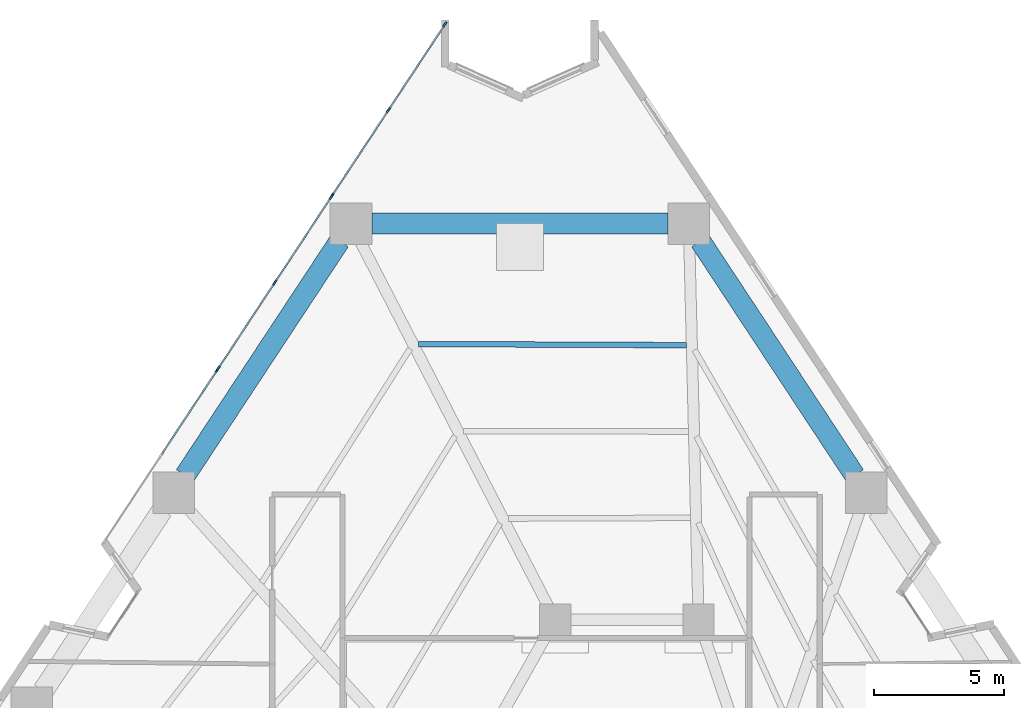
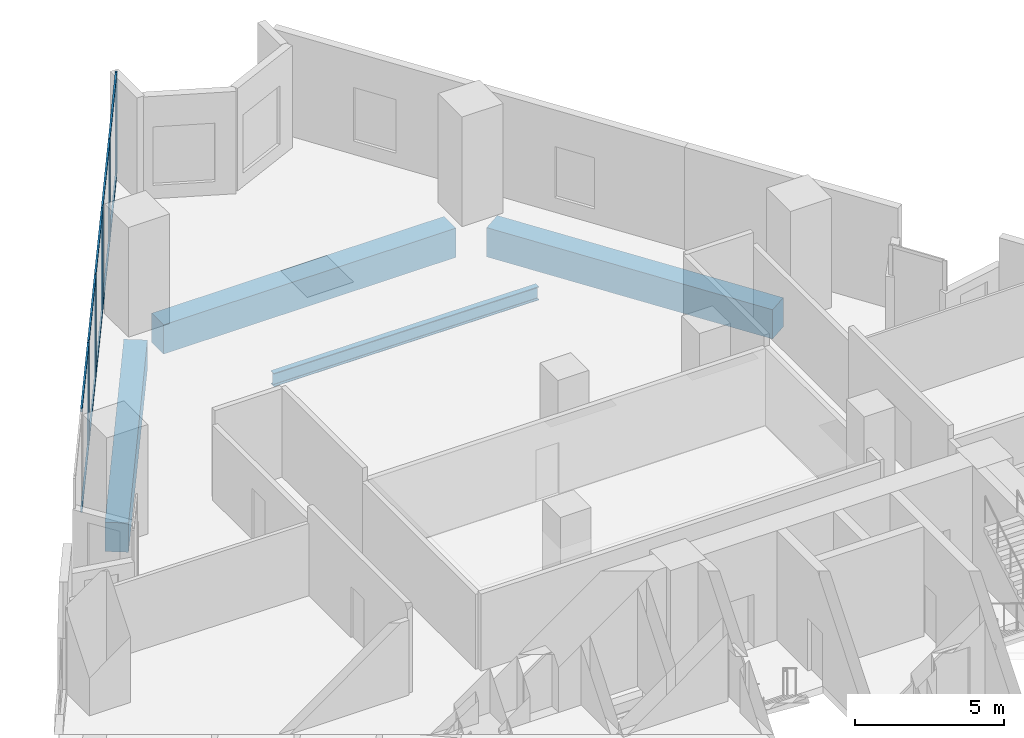
# One storey, part 5 of 12: 17 members, 4 beams, 3 elements without a shape of their own.
"""IFC4 building model written with IfcOpenShell, lengths in metres."""

from ifc_helpers import new_model, si_unit, direction, frame, origin, origin_2d, place, context, subcontext, project, spatial, rectangle, i_section, extrude, material, layer, layer_set, material_profile, profile_set, type_object, element, aggregate, save


model = new_model("IFC4")

# Units and contexts
model_context = context("Model", 3, precision=1e-05, world=origin(), true_north=direction((0.0, 1.0)))
body_context = subcontext(model_context, "Body", "Model", "MODEL_VIEW")
ifc_project = project(units=[si_unit("LENGTHUNIT", "METRE"), si_unit("AREAUNIT", "SQUARE_METRE"), si_unit("VOLUMEUNIT", "CUBIC_METRE"), si_unit("PLANEANGLEUNIT", "RADIAN"), si_unit("MASSUNIT", "GRAM", prefix="KILO")], contexts=[model_context])

# Site, building, storey
site_placement = place(None, origin())
site = spatial("IfcSite", under=ifc_project, at=site_placement, CompositionType="ELEMENT")
building_placement = place(site_placement, origin())
building = spatial("IfcBuilding", under=site, at=building_placement, Name="Almagre Mirador Tower", CompositionType="ELEMENT")
storey_placement = place(building_placement, frame((0.0, 0.0, 12.89990234375)))
storey = spatial("IfcBuildingStorey", under=building, at=storey_placement, Name="L02", CompositionType="ELEMENT", Elevation=12.89990234375)

# Beams
ifc_material_1 = material(Name="Steel ASTM A992 Grade 50", Category="steel")
ifc_material_profile_1 = material_profile(ifc_material_1, i_section(OverallWidth=0.214111328125, OverallDepth=0.549072265625, WebThickness=0.0146484375, FlangeThickness=0.023681640625, FilletRadius=0.01806640625, at=origin_2d()), Name="W21X93")
ifc_profile_set_1 = profile_set([ifc_material_profile_1], Name="Steel ASTM A992 Grade 50")
beam_type_1 = type_object("IfcBeamType", Name="BM-JST-W21X93", PredefinedType="JOIST", material=ifc_profile_set_1)
beam_1_placement = place(storey_placement, frame((42.380126953125, 36.728271484375, -0.574462890625), z_axis=(-0.99999104287, 0.004232514698, 0.0), x_axis=(-0.004232514698, -0.99999104287, 0.0)))
element("IfcBeam", 1, at=beam_1_placement, inside=storey, type_object=beam_type_1, Name="L02 secondary floor joist PC08-PC09.1", PredefinedType="JOIST", context=body_context, shape_type="SweptSolid", body=[
    extrude(i_section(OverallWidth=0.214111328125, OverallDepth=0.549072265625, WebThickness=0.0146484375, FlangeThickness=0.023681640625, FilletRadius=0.01806640625, at=origin_2d()), origin(), (0.0, 0.0, 1.0), 10.267333984375),
])
ifc_material_2 = material(Name="Precast concrete C50/60", Category="concrete")
ifc_material_profile_2 = material_profile(ifc_material_2, rectangle(XDim=0.800048828125, YDim=1.199951171875, at=origin_2d()), Name="RC800X1200")
ifc_profile_set_2 = profile_set([ifc_material_profile_2], Name="Precast concrete C50/60")
beam_type_2 = type_object("IfcBeamType", Name="BM-SPN-RC800X1200", PredefinedType="SPANDREL", material=ifc_profile_set_2)
beam_2_placement = place(storey_placement, frame((48.837890625, 31.736083984375, -0.89990234375), z_axis=(-0.550214843465, 0.835023129039, 0.0), x_axis=(-0.835023129039, -0.550214843465, 0.0)))
element("IfcBeam", 2, at=beam_2_placement, inside=storey, type_object=beam_type_2, Name="L02 perimeter spandrel beam PC07-PC08", PredefinedType="SPANDREL", context=body_context, shape_type="SweptSolid", body=[
    extrude(rectangle(XDim=0.800048828125, YDim=1.199951171875, at=origin_2d()), origin(), (0.0, 0.0, 1.0), 10.7587890625),
])
beam_3_placement = place(storey_placement, frame((41.677978515625, 41.387939453125, -0.89990234375), z_axis=(-1.0, 0.0, 0.0), x_axis=(0.0, -1.0, 0.0)))
element("IfcBeam", 3, at=beam_3_placement, inside=storey, type_object=beam_type_2, Name="L02 perimeter spandrel beam PC08-PC09", PredefinedType="SPANDREL", context=body_context, shape_type="SweptSolid", body=[
    extrude(rectangle(XDim=0.800048828125, YDim=1.199951171875, at=origin_2d()), origin(), (0.0, 0.0, 1.0), 11.35595703125),
])
beam_4_placement = place(storey_placement, frame((29.081787109375, 40.719970703125, -0.89990234375), z_axis=(-0.550214843465, -0.835023129039, 0.0), x_axis=(0.835023129039, -0.550214843465, 0.0)))
element("IfcBeam", 4, at=beam_4_placement, inside=storey, type_object=beam_type_2, Name="L02 perimeter spandrel beam PC09-PC10", PredefinedType="SPANDREL", context=body_context, shape_type="SweptSolid", body=[
    extrude(rectangle(XDim=0.800048828125, YDim=1.199951171875, at=origin_2d()), origin(), (0.0, 0.0, 1.0), 10.7587890625),
])

# Curtain wall, member
ifc_material_3 = material(Name="Black anodized aluminium", Category="aluminium")
ifc_layer = layer(ifc_material_3, 0.219970703125)
ifc_layer_set = layer_set([ifc_layer], Name="Black anodized aluminium")
curtain_wall_type = type_object("IfcCurtainWallType", Name="CW-POD-SYS", PredefinedType="NOTDEFINED", material=ifc_layer_set)
curtain_wall_1_placement = place(storey_placement, origin())
curtain_wall_1 = element("IfcCurtainWall", 5, at=curtain_wall_1_placement, inside=storey, type_object=curtain_wall_type, Name="L02 curtain wall run 02", PredefinedType="NOTDEFINED")
ifc_material_4 = material(Name="Black anodized aluminium", Category="aluminium")
ifc_material_profile_3 = material_profile(ifc_material_4, rectangle(XDim=0.070068359375, YDim=0.2099609375, at=origin_2d()), Name="CWM70X210")
ifc_profile_set_3 = profile_set([ifc_material_profile_3], Name="Black anodized aluminium")
member_type_1 = type_object("IfcMemberType", Name="MBR-CWM70X210", PredefinedType="MULLION", material=ifc_profile_set_3)
member_1_placement = place(storey_placement, frame((24.390380859375, 35.781494140625, 0.0), z_axis=(0.0, 0.0, 1.0), x_axis=(-0.835011518101, 0.550232464181, 0.0)))
member_1 = element("IfcMember", 6, at=member_1_placement, type_object=member_type_1, Name="CW-1 mullion 3", PredefinedType="MULLION", context=body_context, shape_type="SweptSolid", body=[
    extrude(rectangle(XDim=0.070068359375, YDim=0.2099609375, at=origin_2d()), origin(), (0.0, 0.0, 1.0), 4.2001953125),
])

# Curtain wall, members
curtain_wall_2_placement = place(storey_placement, origin())
curtain_wall_2 = element("IfcCurtainWall", 7, at=curtain_wall_2_placement, inside=storey, type_object=curtain_wall_type, Name="L02 curtain wall run 03", PredefinedType="NOTDEFINED")
member_2_placement = place(storey_placement, frame((24.428955078125, 35.83984375, 0.0), z_axis=(0.0, 0.0, 1.0), x_axis=(-0.835013493489, 0.550229466396, 0.0)))
member_2 = element("IfcMember", 8, at=member_2_placement, type_object=member_type_1, Name="CW-1 mullion 1", PredefinedType="MULLION", context=body_context, shape_type="SweptSolid", body=[
    extrude(rectangle(XDim=0.070068359375, YDim=0.2099609375, at=origin_2d()), origin(), (0.0, 0.0, 1.0), 4.2001953125),
])
member_3_placement = place(storey_placement, frame((26.592041015625, 39.12255859375, 0.0), z_axis=(0.0, 0.0, 1.0), x_axis=(-0.835013493489, 0.550229466396, 0.0)))
member_3 = element("IfcMember", 9, at=member_3_placement, type_object=member_type_1, Name="CW-1 mullion 2", PredefinedType="MULLION", context=body_context, shape_type="SweptSolid", body=[
    extrude(rectangle(XDim=0.070068359375, YDim=0.2099609375, at=origin_2d()), origin(), (0.0, 0.0, 1.0), 4.2001953125),
])
member_4_placement = place(storey_placement, frame((28.755126953125, 42.405029296875, 0.0), z_axis=(0.0, 0.0, 1.0), x_axis=(-0.835013493489, 0.550229466396, 0.0)))
member_4 = element("IfcMember", 10, at=member_4_placement, type_object=member_type_1, Name="CW-1 mullion 3", PredefinedType="MULLION", context=body_context, shape_type="SweptSolid", body=[
    extrude(rectangle(XDim=0.070068359375, YDim=0.2099609375, at=origin_2d()), origin(), (0.0, 0.0, 1.0), 4.2001953125),
])

curtain_wall_3_placement = place(storey_placement, origin())
curtain_wall_3 = element("IfcCurtainWall", 11, at=curtain_wall_3_placement, inside=storey, type_object=curtain_wall_type, Name="L02 curtain wall run 04", PredefinedType="NOTDEFINED")
member_5_placement = place(storey_placement, frame((28.79345703125, 42.463623046875, 0.0), z_axis=(0.0, 0.0, 1.0), x_axis=(-0.835011518101, 0.550232464181, 0.0)))
member_5 = element("IfcMember", 12, at=member_5_placement, type_object=member_type_1, Name="CW-1 mullion 1", PredefinedType="MULLION", context=body_context, shape_type="SweptSolid", body=[
    extrude(rectangle(XDim=0.070068359375, YDim=0.2099609375, at=origin_2d()), origin(), (0.0, 0.0, 1.0), 4.2001953125),
])
member_6_placement = place(storey_placement, frame((30.95654296875, 45.74609375, 0.0), z_axis=(0.0, 0.0, 1.0), x_axis=(-0.835011518101, 0.550232464181, 0.0)))
member_6 = element("IfcMember", 13, at=member_6_placement, type_object=member_type_1, Name="CW-1 mullion 2", PredefinedType="MULLION", context=body_context, shape_type="SweptSolid", body=[
    extrude(rectangle(XDim=0.070068359375, YDim=0.2099609375, at=origin_2d()), origin(), (0.0, 0.0, 1.0), 4.2001953125),
])
member_7_placement = place(storey_placement, frame((33.11962890625, 49.02880859375, 0.0), z_axis=(0.0, 0.0, 1.0), x_axis=(-0.835011518101, 0.550232464181, 0.0)))
member_7 = element("IfcMember", 14, at=member_7_placement, type_object=member_type_1, Name="CW-1 mullion 3", PredefinedType="MULLION", context=body_context, shape_type="SweptSolid", body=[
    extrude(rectangle(XDim=0.070068359375, YDim=0.2099609375, at=origin_2d()), origin(), (0.0, 0.0, 1.0), 4.2001953125),
])

# Member
ifc_material_5 = material(Name="Black anodized aluminium", Category="aluminium")
ifc_material_profile_4 = material_profile(ifc_material_5, rectangle(XDim=0.06494140625, YDim=0.14990234375, at=origin_2d()), Name="CWT65X150")
ifc_profile_set_4 = profile_set([ifc_material_profile_4], Name="Black anodized aluminium")
member_type_2 = type_object("IfcMemberType", Name="MBR-CWT65X150", PredefinedType="USERDEFINED", material=ifc_profile_set_4)
member_8_placement = place(storey_placement, frame((22.24658203125, 32.528076171875, 0.03271484375), z_axis=(0.550227200685, 0.835014986468, 0.0), x_axis=(-0.835014986468, 0.550227200685, 0.0)))
member_8 = element("IfcMember", 15, at=member_8_placement, type_object=member_type_2, Name="CW-1 transom 2.1", ObjectType="TRANSOM", PredefinedType="USERDEFINED", context=body_context, shape_type="SweptSolid", body=[
    extrude(rectangle(XDim=0.06494140625, YDim=0.14990234375, at=origin_2d()), origin(), (0.0, 0.0, 1.0), 3.861083984375),
])

member_9_placement = place(storey_placement, frame((22.24658203125, 32.528076171875, 4.16748046875), z_axis=(0.550227200685, 0.835014986468, 0.0), x_axis=(-0.835014986468, 0.550227200685, 0.0)))
member_9 = element("IfcMember", 16, at=member_9_placement, type_object=member_type_2, Name="CW-1 transom 2.2", ObjectType="TRANSOM", PredefinedType="USERDEFINED", context=body_context, shape_type="SweptSolid", body=[
    extrude(rectangle(XDim=0.06494140625, YDim=0.14990234375, at=origin_2d()), origin(), (0.0, 0.0, 1.0), 3.861083984375),
])

aggregate(curtain_wall_1, [member_1, member_8, member_9])

member_10_placement = place(storey_placement, frame((24.4482421875, 35.869140625, 0.03271484375), z_axis=(0.550227200685, 0.835014986468, 0.0), x_axis=(-0.835014986468, 0.550227200685, 0.0)))
member_10 = element("IfcMember", 17, at=member_10_placement, type_object=member_type_2, Name="CW-1 transom 1.1", ObjectType="TRANSOM", PredefinedType="USERDEFINED", context=body_context, shape_type="SweptSolid", body=[
    extrude(rectangle(XDim=0.06494140625, YDim=0.14990234375, at=origin_2d()), origin(), (0.0, 0.0, 1.0), 3.861083984375),
])

member_11_placement = place(storey_placement, frame((24.4482421875, 35.869140625, 4.16748046875), z_axis=(0.550227200685, 0.835014986468, 0.0), x_axis=(-0.835014986468, 0.550227200685, 0.0)))
member_11 = element("IfcMember", 18, at=member_11_placement, type_object=member_type_2, Name="CW-1 transom 1.2", ObjectType="TRANSOM", PredefinedType="USERDEFINED", context=body_context, shape_type="SweptSolid", body=[
    extrude(rectangle(XDim=0.06494140625, YDim=0.14990234375, at=origin_2d()), origin(), (0.0, 0.0, 1.0), 3.861083984375),
])

member_12_placement = place(storey_placement, frame((26.611328125, 39.151611328125, 0.03271484375), z_axis=(0.550227200685, 0.835014986468, 0.0), x_axis=(-0.835014986468, 0.550227200685, 0.0)))
member_12 = element("IfcMember", 19, at=member_12_placement, type_object=member_type_2, Name="CW-1 transom 2.1", ObjectType="TRANSOM", PredefinedType="USERDEFINED", context=body_context, shape_type="SweptSolid", body=[
    extrude(rectangle(XDim=0.06494140625, YDim=0.14990234375, at=origin_2d()), origin(), (0.0, 0.0, 1.0), 3.861083984375),
])

member_13_placement = place(storey_placement, frame((26.611328125, 39.151611328125, 4.16748046875), z_axis=(0.550227200685, 0.835014986468, 0.0), x_axis=(-0.835014986468, 0.550227200685, 0.0)))
member_13 = element("IfcMember", 20, at=member_13_placement, type_object=member_type_2, Name="CW-1 transom 2.2", ObjectType="TRANSOM", PredefinedType="USERDEFINED", context=body_context, shape_type="SweptSolid", body=[
    extrude(rectangle(XDim=0.06494140625, YDim=0.14990234375, at=origin_2d()), origin(), (0.0, 0.0, 1.0), 3.861083984375),
])

aggregate(curtain_wall_2, [member_2, member_3, member_4, member_10, member_11, member_12, member_13])

member_14_placement = place(storey_placement, frame((28.812744140625, 42.49267578125, 0.03271484375), z_axis=(0.550242235497, 0.835005079192, 0.0), x_axis=(-0.835005079192, 0.550242235497, 0.0)))
member_14 = element("IfcMember", 21, at=member_14_placement, type_object=member_type_2, Name="CW-1 transom 1.1", ObjectType="TRANSOM", PredefinedType="USERDEFINED", context=body_context, shape_type="SweptSolid", body=[
    extrude(rectangle(XDim=0.06494140625, YDim=0.14990234375, at=origin_2d()), origin(), (0.0, 0.0, 1.0), 3.861572265625),
])

member_15_placement = place(storey_placement, frame((28.812744140625, 42.49267578125, 4.16748046875), z_axis=(0.550242235497, 0.835005079192, 0.0), x_axis=(-0.835005079192, 0.550242235497, 0.0)))
member_15 = element("IfcMember", 22, at=member_15_placement, type_object=member_type_2, Name="CW-1 transom 1.2", ObjectType="TRANSOM", PredefinedType="USERDEFINED", context=body_context, shape_type="SweptSolid", body=[
    extrude(rectangle(XDim=0.06494140625, YDim=0.14990234375, at=origin_2d()), origin(), (0.0, 0.0, 1.0), 3.861572265625),
])

member_16_placement = place(storey_placement, frame((30.975830078125, 45.775390625, 0.03271484375), z_axis=(0.550271285483, 0.834985935434, 0.0), x_axis=(-0.834985935434, 0.550271285483, 0.0)))
member_16 = element("IfcMember", 23, at=member_16_placement, type_object=member_type_2, Name="CW-1 transom 2.1", ObjectType="TRANSOM", PredefinedType="USERDEFINED", context=body_context, shape_type="SweptSolid", body=[
    extrude(rectangle(XDim=0.06494140625, YDim=0.14990234375, at=origin_2d()), origin(), (0.0, 0.0, 1.0), 3.861328125),
])

member_17_placement = place(storey_placement, frame((30.975830078125, 45.775390625, 4.16748046875), z_axis=(0.550271285483, 0.834985935434, 0.0), x_axis=(-0.834985935434, 0.550271285483, 0.0)))
member_17 = element("IfcMember", 24, at=member_17_placement, type_object=member_type_2, Name="CW-1 transom 2.2", ObjectType="TRANSOM", PredefinedType="USERDEFINED", context=body_context, shape_type="SweptSolid", body=[
    extrude(rectangle(XDim=0.06494140625, YDim=0.14990234375, at=origin_2d()), origin(), (0.0, 0.0, 1.0), 3.861328125),
])

aggregate(curtain_wall_3, [member_5, member_6, member_7, member_14, member_15, member_16, member_17])

save(model, "model.ifc")
